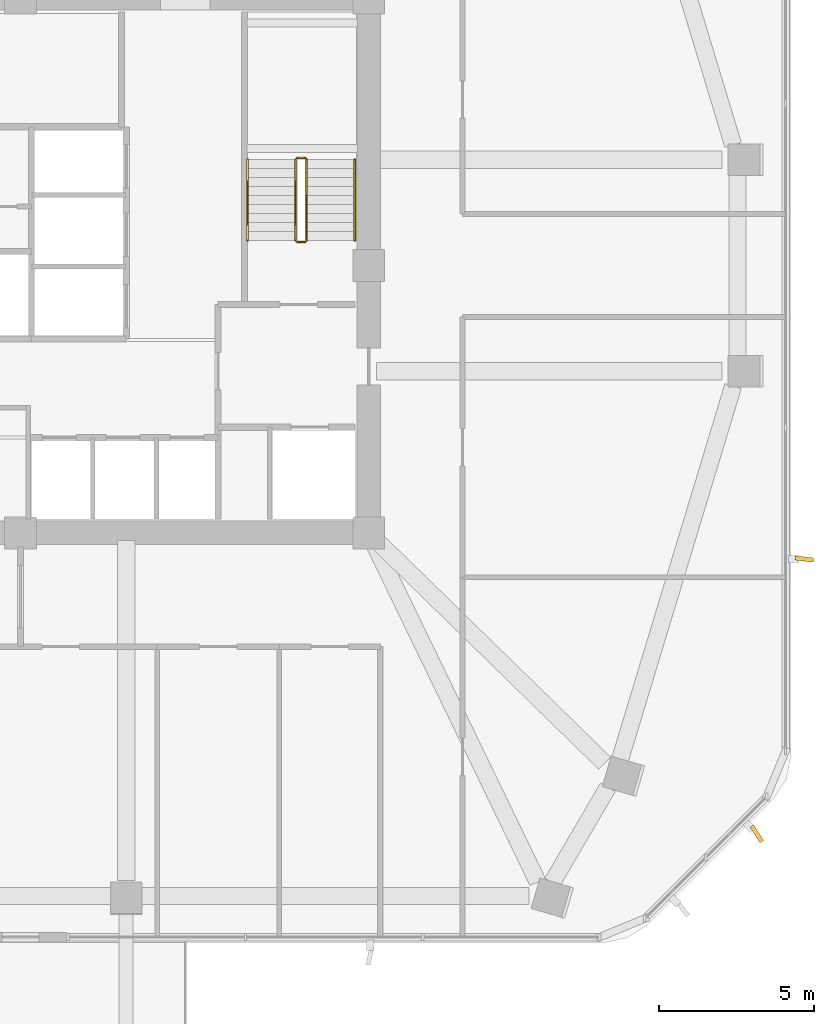
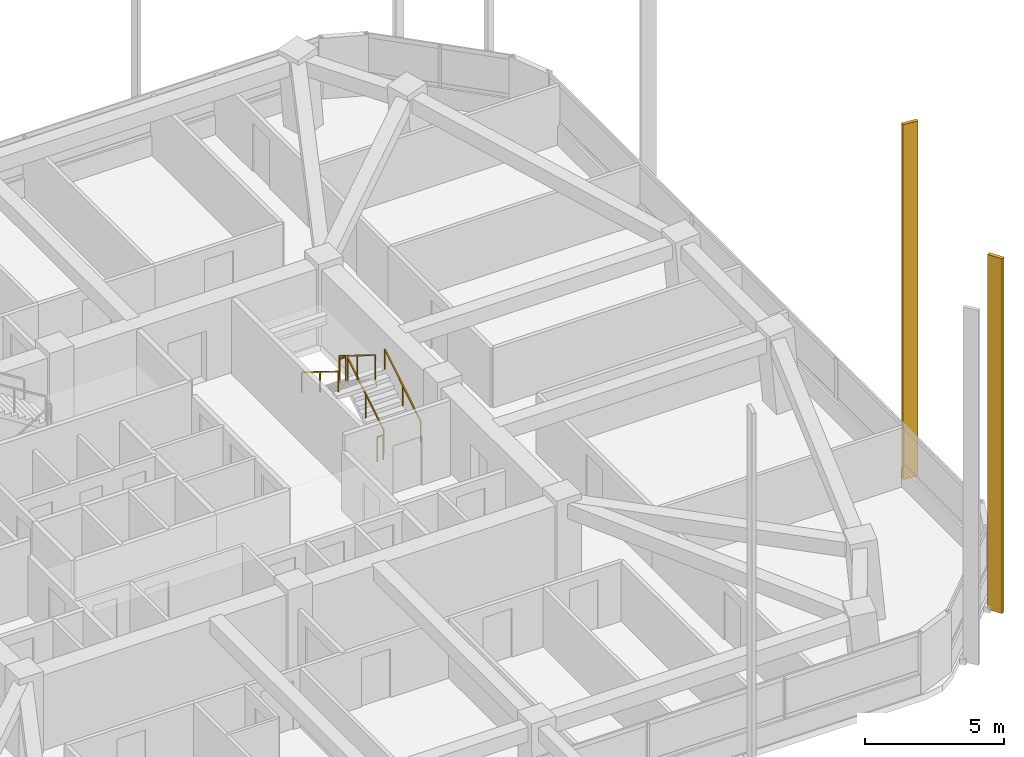
# One storey, part 14 of 15: 6 railings, 2 shading devices.
"""IFC4 building model written with IfcOpenShell, lengths in metres."""

from ifc_helpers import new_model, si_unit, derived_unit, direction, frame, origin, origin_2d, place, context, subcontext, project, spatial, rectangle, extrude, material, type_object, element, save


model = new_model("IFC4")

# Units and contexts
model_context = context("Model", 3, precision=1e-05, world=origin(), true_north=direction((0.0, 1.0)))
body_context = subcontext(model_context, "Body", "Model", "MODEL_VIEW")
ifc_project = project(units=[si_unit("LENGTHUNIT", "METRE"), si_unit("AREAUNIT", "SQUARE_METRE"), si_unit("VOLUMEUNIT", "CUBIC_METRE"), si_unit("PLANEANGLEUNIT", "RADIAN"), si_unit("MASSUNIT", "GRAM", prefix="KILO"), derived_unit("THERMALTRANSMITTANCEUNIT", [(si_unit("POWERUNIT", "WATT"), 1), (si_unit("LENGTHUNIT", "METRE"), -2), (si_unit("THERMODYNAMICTEMPERATUREUNIT", "KELVIN"), -1)])], contexts=[model_context])

# Site, building, storey
site_placement = place(None, origin())
site = spatial("IfcSite", under=ifc_project, at=site_placement, CompositionType="ELEMENT")
building_placement = place(site_placement, origin())
building = spatial("IfcBuilding", under=site, at=building_placement, Name="Koralith Skygarden Medical Center", CompositionType="ELEMENT")
storey_placement = place(building_placement, frame((0.0, 0.0, 113.580078125)))
storey = spatial("IfcBuildingStorey", under=building, at=storey_placement, Name="L29", CompositionType="ELEMENT", Elevation=113.580078125)

# Shading devices
ifc_material_1 = material(Name="Aluminium 6063-T6", Category="aluminium")
shading_device_type = type_object("IfcShadingDeviceType", Name="Limestone-Clad Solar Storm Fin 600", PredefinedType="USERDEFINED", material=ifc_material_1)
for number, where, z_axis, x_axis, name in (
    (1, (60.679931640625, 7.6220703125, -0.199951171875), (0.0, 0.0, 1.0), (0.538064824755, -0.842903460879, 0.0), "L29 SE Harmonic Solar Storm Fin 2"),
    (2, (62.2041015625, 16.4609375, -0.199951171875), (0.0, 0.0, 1.0), (0.993732851123, -0.1117811281, 0.0), "L29 E Harmonic Solar Storm Fin 1"),
):
    element("IfcShadingDevice", number, at=place(storey_placement, frame(where, z_axis=z_axis, x_axis=x_axis)), inside=storey, type_object=shading_device_type, Name=name, ObjectType="SOLAR FIN", PredefinedType="USERDEFINED", context=body_context, shape_type="SweptSolid", body=[
        extrude(rectangle(XDim=0.60009765625, YDim=0.139892578125, at=origin_2d()), origin(), (0.0, 0.0, 1.0), 15.6298828125),
    ])

# Railings
ifc_material_2 = material(Name="Steel ASTM A500 Grade C", Category="steel")
railing_type_1 = type_object("IfcRailingType", Name="Stair Flight Tubular Handrail 920", PredefinedType="HANDRAIL", material=ifc_material_2)
railing_1_placement = place(storey_placement, frame((47.75, 26.699951171875, 0.179931640625)))
element("IfcRailing", 3, at=railing_1_placement, inside=storey, type_object=railing_type_1, Name="L29 ST2 stair handrail 1", PredefinedType="HANDRAIL", context=body_context, shape_type="SweptSolid", body=[
    extrude(rectangle(XDim=0.050048828125, YDim=0.050048828125, at=origin_2d()), frame((0.0, 0.001708984375, 0.89599609375), z_axis=(0.0, 0.849668407637, 0.527317358963), x_axis=(-1.0, 0.0, 0.0)), (0.0, 0.0, 1.0), 3.06787109375),
    extrude(rectangle(XDim=0.0419921875, YDim=0.0419921875, at=origin_2d()), origin(), (0.0, 0.0, 1.0), 0.867919921875),
    extrude(rectangle(XDim=0.0419921875, YDim=0.0419921875, at=origin_2d()), frame((0.0, 1.30517578125, 0.81005859375)), (0.0, 0.0, 1.0), 0.867919921875),
    extrude(rectangle(XDim=0.0419921875, YDim=0.0419921875, at=origin_2d()), frame((0.0, 2.610107421875, 1.619873046875)), (0.0, 0.0, 1.0), 0.867919921875),
])
railing_2_placement = place(storey_placement, frame((44.300048828125, 29.31005859375, 1.97998046875)))
element("IfcRailing", 4, at=railing_2_placement, inside=storey, type_object=railing_type_1, Name="L29 ST2 stair handrail 2", PredefinedType="HANDRAIL", context=body_context, shape_type="SweptSolid", body=[
    extrude(rectangle(XDim=0.050048828125, YDim=0.050048828125, at=origin_2d()), frame((0.0, -0.001708984375, 0.89599609375), z_axis=(0.0, -0.849668407637, 0.527317358963), x_axis=(1.0, 0.0, 0.0)), (0.0, 0.0, 1.0), 3.06787109375),
    extrude(rectangle(XDim=0.0419921875, YDim=0.0419921875, at=origin_2d()), origin(), (0.0, 0.0, 1.0), 0.867919921875),
    extrude(rectangle(XDim=0.0419921875, YDim=0.0419921875, at=origin_2d()), frame((0.0, -1.30517578125, 0.81005859375)), (0.0, 0.0, 1.0), 0.867919921875),
    extrude(rectangle(XDim=0.0419921875, YDim=0.0419921875, at=origin_2d()), frame((0.0, -2.610107421875, 1.619873046875)), (0.0, 0.0, 1.0), 0.867919921875),
])
railing_type_2 = type_object("IfcRailingType", Name="Stair Well Safety Guardrail 1100", PredefinedType="GUARDRAIL", material=ifc_material_2)
railing_3_placement = place(storey_placement, frame((46.199951171875, 26.699951171875, 0.179931640625)))
element("IfcRailing", 5, at=railing_3_placement, inside=storey, type_object=railing_type_2, Name="L29 ST2 stair guard 1", PredefinedType="GUARDRAIL", context=body_context, shape_type="SweptSolid", body=[
    extrude(rectangle(XDim=0.050048828125, YDim=0.050048828125, at=origin_2d()), frame((0.0, 0.001708984375, 1.076171875), z_axis=(0.0, 0.849668407637, 0.527317358963), x_axis=(-1.0, 0.0, 0.0)), (0.0, 0.0, 1.0), 3.06787109375),
    extrude(rectangle(XDim=0.0419921875, YDim=0.0419921875, at=origin_2d()), origin(), (0.0, 0.0, 1.0), 1.048095703125),
    extrude(rectangle(XDim=0.0419921875, YDim=0.0419921875, at=origin_2d()), frame((0.0, 1.30517578125, 0.81005859375)), (0.0, 0.0, 1.0), 1.048095703125),
    extrude(rectangle(XDim=0.0419921875, YDim=0.0419921875, at=origin_2d()), frame((0.0, 2.610107421875, 1.619873046875)), (0.0, 0.0, 1.0), 1.048095703125),
])
railing_4_placement = place(storey_placement, frame((46.14990234375, 29.360107421875, 1.7998046875)))
element("IfcRailing", 6, at=railing_4_placement, inside=storey, type_object=railing_type_2, Name="L29 ST2 stair guard 2", PredefinedType="GUARDRAIL", context=body_context, shape_type="SweptSolid", body=[
    extrude(rectangle(XDim=0.050048828125, YDim=0.050048828125, at=origin_2d()), frame((-0.001953125, 0.0, 1.0751953125), z_axis=(-1.0, 0.0, 0.0), x_axis=(0.0, -1.0, 0.0)), (0.0, 0.0, 1.0), 0.24609375),
    extrude(rectangle(XDim=0.0419921875, YDim=0.0419921875, at=origin_2d()), origin(), (0.0, 0.0, 1.0), 1.048095703125),
    extrude(rectangle(XDim=0.0419921875, YDim=0.0419921875, at=origin_2d()), frame((-0.25, 0.0, 0.0)), (0.0, 0.0, 1.0), 1.048095703125),
])
railing_5_placement = place(storey_placement, frame((45.85009765625, 29.31005859375, 1.97998046875)))
element("IfcRailing", 7, at=railing_5_placement, inside=storey, type_object=railing_type_2, Name="L29 ST2 stair guard 3", PredefinedType="GUARDRAIL", context=body_context, shape_type="SweptSolid", body=[
    extrude(rectangle(XDim=0.050048828125, YDim=0.050048828125, at=origin_2d()), frame((0.0, -0.001708984375, 1.076171875), z_axis=(0.0, -0.849668407637, 0.527317358963), x_axis=(1.0, 0.0, 0.0)), (0.0, 0.0, 1.0), 3.06787109375),
    extrude(rectangle(XDim=0.0419921875, YDim=0.0419921875, at=origin_2d()), origin(), (0.0, 0.0, 1.0), 1.048095703125),
    extrude(rectangle(XDim=0.0419921875, YDim=0.0419921875, at=origin_2d()), frame((0.0, -1.30517578125, 0.81005859375)), (0.0, 0.0, 1.0), 1.048095703125),
    extrude(rectangle(XDim=0.0419921875, YDim=0.0419921875, at=origin_2d()), frame((0.0, -2.610107421875, 1.619873046875)), (0.0, 0.0, 1.0), 1.048095703125),
])
railing_6_placement = place(storey_placement, frame((46.14990234375, 26.64990234375, 0.0)))
element("IfcRailing", 8, at=railing_6_placement, inside=storey, type_object=railing_type_2, Name="L29 ST2 stair guard 4", PredefinedType="GUARDRAIL", context=body_context, shape_type="SweptSolid", body=[
    extrude(rectangle(XDim=0.050048828125, YDim=0.050048828125, at=origin_2d()), frame((-0.001953125, 0.0, 1.0751953125), z_axis=(-1.0, 0.0, 0.0), x_axis=(0.0, -1.0, 0.0)), (0.0, 0.0, 1.0), 0.24609375),
    extrude(rectangle(XDim=0.0419921875, YDim=0.0419921875, at=origin_2d()), origin(), (0.0, 0.0, 1.0), 1.048095703125),
    extrude(rectangle(XDim=0.0419921875, YDim=0.0419921875, at=origin_2d()), frame((-0.25, 0.0, 0.0)), (0.0, 0.0, 1.0), 1.048095703125),
])

save(model, "model.ifc")
